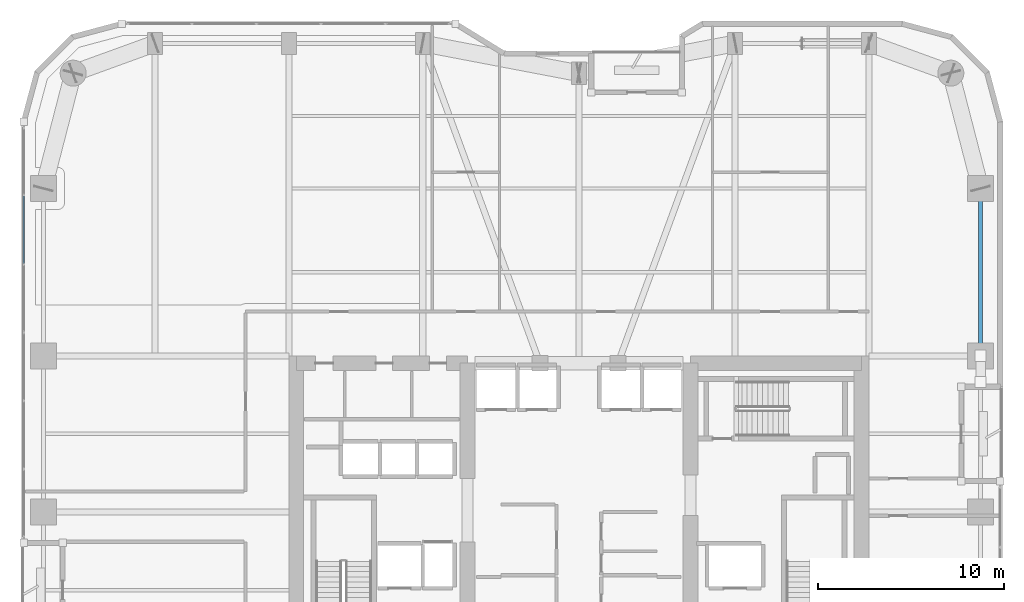
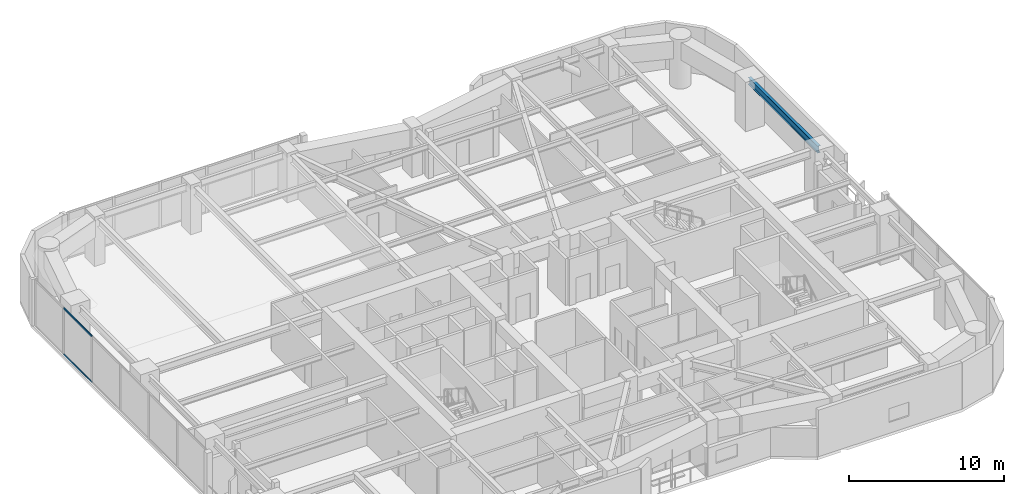
# One storey, part 12 of 31: 2 members, 1 beam, 1 element without a shape of its own.
"""IFC4 building model written with IfcOpenShell, lengths in metres."""

from ifc_helpers import new_model, si_unit, direction, frame, origin, origin_2d, place, context, subcontext, project, spatial, hollow_rectangle, i_section, extrude, material, layer, layer_set, material_profile, profile_set, type_object, element, aggregate, save


model = new_model("IFC4")

# Units and contexts
model_context = context("Model", 3, precision=1e-05, world=origin(), true_north=direction((0.0, 1.0)))
body_context = subcontext(model_context, "Body", "Model", "MODEL_VIEW")
ifc_project = project(units=[si_unit("LENGTHUNIT", "METRE"), si_unit("AREAUNIT", "SQUARE_METRE"), si_unit("VOLUMEUNIT", "CUBIC_METRE"), si_unit("PLANEANGLEUNIT", "RADIAN"), si_unit("MASSUNIT", "GRAM", prefix="KILO")], contexts=[model_context])

# Site, building, storey
site_placement = place(None, origin())
site = spatial("IfcSite", under=ifc_project, at=site_placement, CompositionType="ELEMENT")
building_placement = place(site_placement, origin())
building = spatial("IfcBuilding", under=site, at=building_placement, Name="Kiyonajd Concourse Tower", CompositionType="ELEMENT")
storey_placement = place(building_placement, frame((0.0, 0.0, 158.39990234375)))
storey = spatial("IfcBuildingStorey", under=building, at=storey_placement, Name="L40", CompositionType="ELEMENT", Elevation=158.39990234375)

# Beam
ifc_material_1 = material(Name="Steel ASTM A992 Grade 50", Category="steel")
ifc_material_profile_1 = material_profile(ifc_material_1, i_section(OverallWidth=0.214111328125, OverallDepth=0.549072265625, WebThickness=0.0146484375, FlangeThickness=0.023681640625, at=origin_2d()), Name="W530X138")
ifc_profile_set_1 = profile_set([ifc_material_profile_1], Name="Steel ASTM A992 Grade 50")
beam_type = type_object("IfcBeamType", Name="BM-SPAN-530A", PredefinedType="SPANDREL", material=ifc_profile_set_1)
beam_placement = place(storey_placement, frame((69.60009765625, 44.39990234375, 3.405517578125), z_axis=(0.0, 1.0, 0.0), x_axis=(-1.0, 0.0, 0.0)))
element("IfcBeam", 1, at=beam_placement, inside=storey, type_object=beam_type, Name="L40 Perimeter Bundled Tube Spandrel", PredefinedType="SPANDREL", context=body_context, shape_type="SweptSolid", body=[
    extrude(i_section(OverallWidth=0.214111328125, OverallDepth=0.549072265625, WebThickness=0.0146484375, FlangeThickness=0.023681640625, at=origin_2d()), origin(), (0.0, 0.0, 1.0), 9.0),
])

# Curtain wall, members
ifc_material_2 = material(Name="Thermally Broken Anodised Aluminium", Category="aluminium")
ifc_layer = layer(ifc_material_2, 0.179931640625)
ifc_layer_set = layer_set([ifc_layer], Name="Thermally Broken Anodised Aluminium")
curtain_wall_type = type_object("IfcCurtainWallType", Name="CW-SYS-03", PredefinedType="NOTDEFINED", material=ifc_layer_set)
curtain_wall_placement = place(storey_placement, origin())
curtain_wall = element("IfcCurtainWall", 2, at=curtain_wall_placement, inside=storey, type_object=curtain_wall_type, Name="L40 Unitised Curtain Wall CW3", PredefinedType="NOTDEFINED")
ifc_material_profile_2 = material_profile(ifc_material_2, hollow_rectangle(XDim=0.06494140625, YDim=0.139892578125, WallThickness=0.00390625, at=origin_2d()), Name="TRAN-65x140")
ifc_profile_set_2 = profile_set([ifc_material_profile_2], Name="Thermally Broken Anodised Aluminium")
member_type = type_object("IfcMemberType", Name="MB-CW-TRAN1", PredefinedType="USERDEFINED", material=ifc_profile_set_2)
member_1_placement = place(storey_placement, frame((18.139892578125, 49.3701171875, 0.03271484375), z_axis=(0.0, 1.0, 0.0), x_axis=(-1.0, 0.0, 0.0)))
member_1 = element("IfcMember", 3, at=member_1_placement, type_object=member_type, Name="CW3 transom 5.1", ObjectType="TRANSOM", PredefinedType="USERDEFINED", context=body_context, shape_type="SweptSolid", body=[
    extrude(hollow_rectangle(XDim=0.06494140625, YDim=0.139892578125, WallThickness=0.00390625, at=origin_2d()), origin(), (0.0, 0.0, 1.0), 3.612060546875),
])
member_2_placement = place(storey_placement, frame((18.139892578125, 49.3701171875, 3.647705078125), z_axis=(0.0, 1.0, 0.0), x_axis=(-1.0, 0.0, 0.0)))
member_2 = element("IfcMember", 4, at=member_2_placement, type_object=member_type, Name="CW3 transom 5.2", ObjectType="TRANSOM", PredefinedType="USERDEFINED", context=body_context, shape_type="SweptSolid", body=[
    extrude(hollow_rectangle(XDim=0.06494140625, YDim=0.139892578125, WallThickness=0.00390625, at=origin_2d()), origin(), (0.0, 0.0, 1.0), 3.612060546875),
])
aggregate(curtain_wall, [member_1, member_2])

save(model, "model.ifc")
